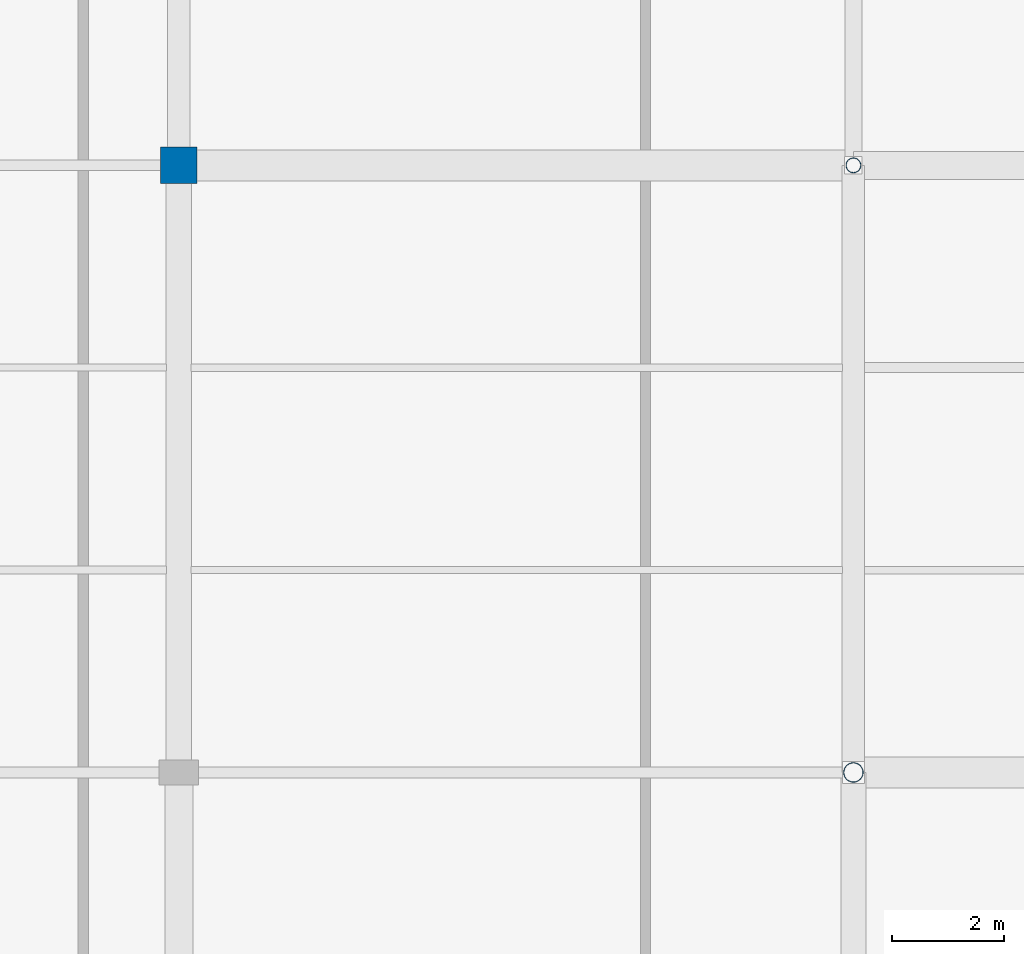
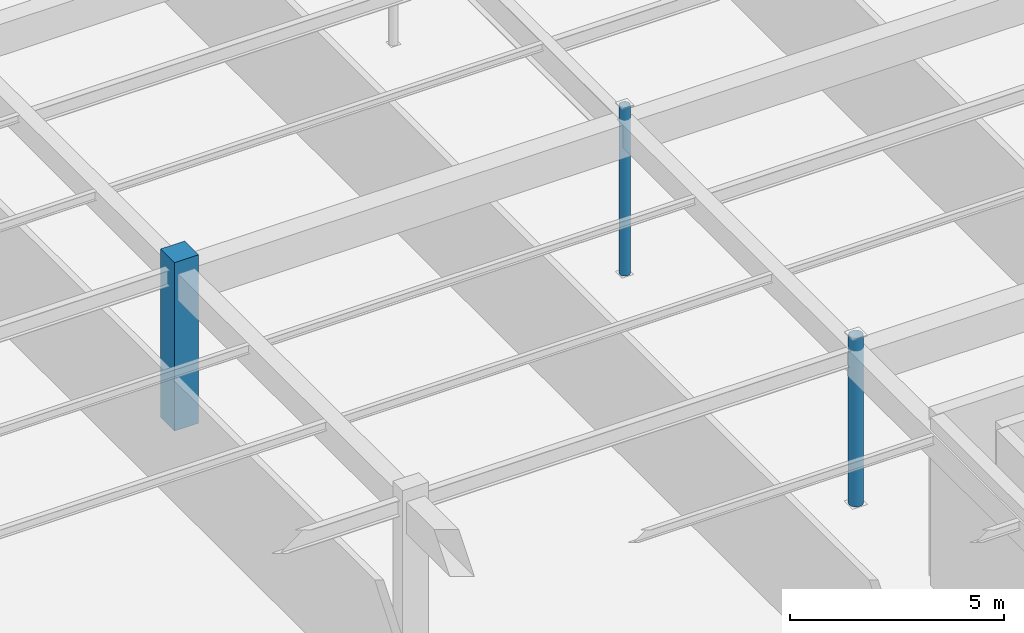
# One storey, part 24 of 199: 3 columns.
"""IFC4 building model written with IfcOpenShell, lengths in metres."""

from ifc_helpers import new_model, si_unit, direction, frame, origin, origin_2d, place, context, subcontext, project, spatial, rectangle, hollow_circle, extrude, material, material_profile, profile_set, type_object, element, save


model = new_model("IFC4")

# Units and contexts
model_context = context("Model", 3, precision=1e-05, world=origin(), true_north=direction((0.0, 1.0)))
body_context = subcontext(model_context, "Body", "Model", "MODEL_VIEW")
ifc_project = project(units=[si_unit("LENGTHUNIT", "METRE"), si_unit("AREAUNIT", "SQUARE_METRE"), si_unit("VOLUMEUNIT", "CUBIC_METRE"), si_unit("PLANEANGLEUNIT", "RADIAN"), si_unit("MASSUNIT", "GRAM", prefix="KILO")], contexts=[model_context])

# Site, building, storey
site_placement = place(None, origin())
site = spatial("IfcSite", under=ifc_project, at=site_placement, CompositionType="ELEMENT")
building_placement = place(site_placement, origin())
building = spatial("IfcBuilding", under=site, at=building_placement, Name="Tarnwether General Hospital", CompositionType="ELEMENT")
storey_placement = place(building_placement, origin())
storey = spatial("IfcBuildingStorey", under=building, at=storey_placement, Name="L00", CompositionType="ELEMENT", Elevation=0.0)

# Columns
ifc_material_1 = material(Name="Steel Grade C350L0 (350 MPa)", Category="steel")
ifc_material_profile_1 = material_profile(ifc_material_1, hollow_circle(Radius=0.177734375, WallThickness=0.0126953125, at=origin_2d()), Name="CHS355.6x12.7")
ifc_profile_set_1 = profile_set([ifc_material_profile_1], Name="Steel Grade C350L0 (350 MPa)")
column_type_1 = type_object("IfcColumnType", Name="COL-11", PredefinedType="COLUMN", material=ifc_profile_set_1)
column_1_placement = place(storey_placement, frame((24.0, 93.60009765625, 0.0), z_axis=(0.0, 0.0, 1.0), x_axis=(1.0, 0.0, 0.0)))
element("IfcColumn", 1, at=column_1_placement, inside=storey, type_object=column_type_1, Name="Column COLG-L00-2400_9360", PredefinedType="COLUMN", context=body_context, shape_type="SweptSolid", body=[
    extrude(hollow_circle(Radius=0.177734375, WallThickness=0.0126953125, at=origin_2d()), origin(), (0.0, 0.0, 1.0), 4.800048828125),
])
ifc_material_2 = material(Name="Steel Grade C350L0 (350 MPa)", Category="steel")
ifc_material_profile_2 = material_profile(ifc_material_2, hollow_circle(Radius=0.136474609375, WallThickness=0.0126953125, at=origin_2d()), Name="CHS273.1x12.7")
ifc_profile_set_2 = profile_set([ifc_material_profile_2], Name="Steel Grade C350L0 (350 MPa)")
column_type_2 = type_object("IfcColumnType", Name="COL-12", PredefinedType="COLUMN", material=ifc_profile_set_2)
column_2_placement = place(storey_placement, frame((24.0, 104.39990234375, 0.0), z_axis=(0.0, 0.0, 1.0), x_axis=(1.0, 0.0, 0.0)))
element("IfcColumn", 2, at=column_2_placement, inside=storey, type_object=column_type_2, Name="Column COLG-L00-2400_10440", PredefinedType="COLUMN", context=body_context, shape_type="SweptSolid", body=[
    extrude(hollow_circle(Radius=0.136474609375, WallThickness=0.0126953125, at=origin_2d()), origin(), (0.0, 0.0, 1.0), 4.800048828125),
])
ifc_material_3 = material(Name="Concrete 50 MPa", Category="concrete")
ifc_material_profile_3 = material_profile(ifc_material_3, rectangle(XDim=0.64990234375, YDim=0.64990234375, at=origin_2d()), Name="RC-COL-650x650")
ifc_profile_set_3 = profile_set([ifc_material_profile_3], Name="Concrete 50 MPa")
column_type_3 = type_object("IfcColumnType", Name="COL-35", PredefinedType="COLUMN", material=ifc_profile_set_3)
column_3_placement = place(storey_placement, frame((12.0, 104.39990234375, 0.0), z_axis=(0.0, 0.0, 1.0), x_axis=(0.0, 1.0, 0.0)))
element("IfcColumn", 3, at=column_3_placement, inside=storey, type_object=column_type_3, Name="Column COLG-L00-1200_10440", PredefinedType="COLUMN", context=body_context, shape_type="SweptSolid", body=[
    extrude(rectangle(XDim=0.64990234375, YDim=0.64990234375, at=origin_2d()), origin(), (0.0, 0.0, 1.0), 4.800048828125),
])

save(model, "model.ifc")
